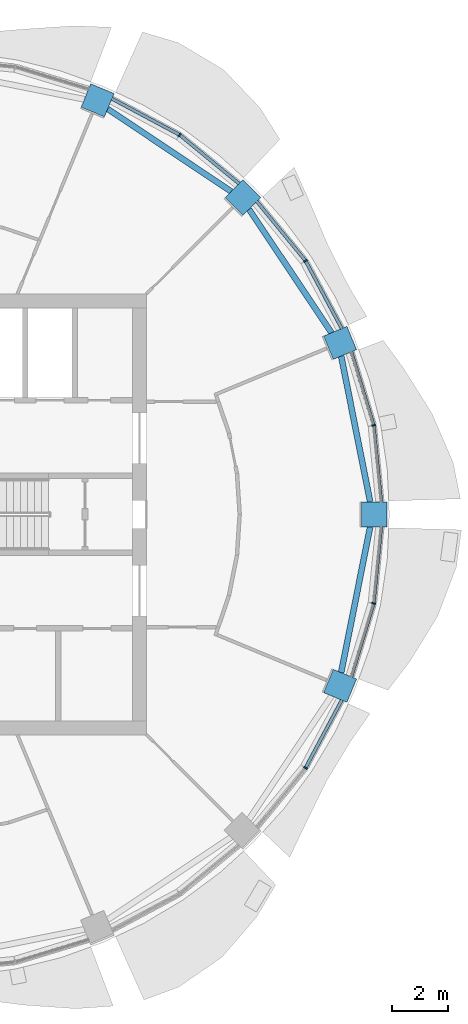
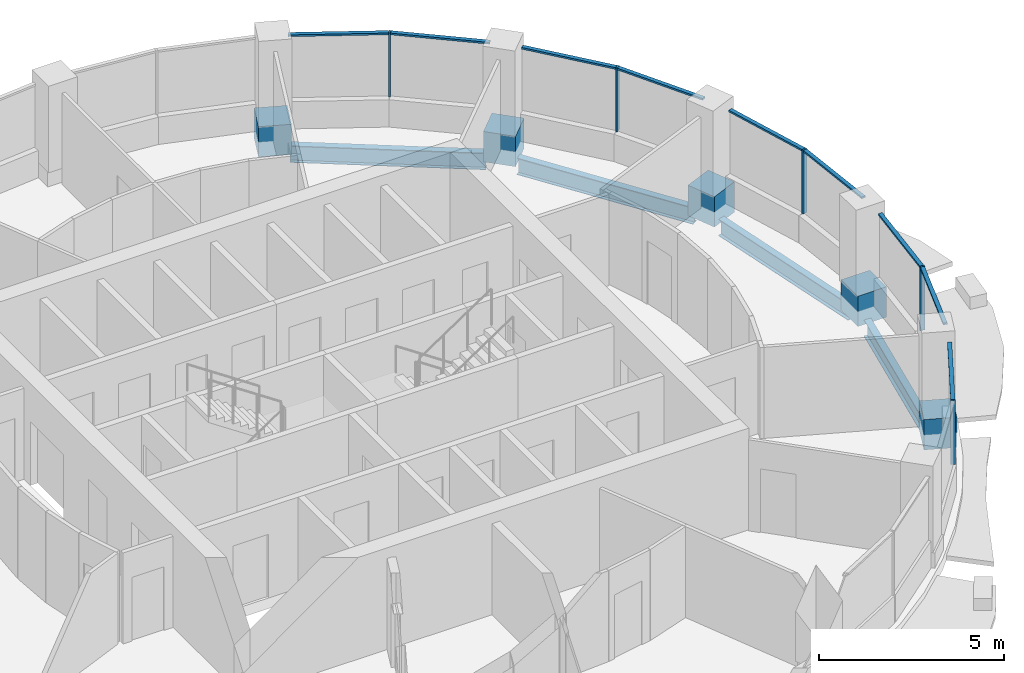
# One storey, part 5 of 15: 19 members, 4 beams, 5 elements without a shape of their own.
"""IFC4 building model written with IfcOpenShell, lengths in metres."""

import ifcopenshell
import ifcopenshell.guid

model = None  # the IFC model being written
_history = None  # IfcOwnerHistory: only IFC2X3 demands one
_inside = {}  # id of a spatial element -> (the spatial element, [elements in it])
_under = {}  # id of a project, library or spatial element -> (it, [spatial elements below it])
_declared = {}  # id of a project -> (the project, [libraries it declares])
_typed = {}  # id of a type object -> (the type object, [elements of that type])
_made_of = {}  # id of a material, layer set ... -> (it, [elements and type objects made of it])


def new_model(schema):
    """Start an empty IFC model of exactly this schema.

    Asked for "IFC4X3", IfcOpenShell would pick the latest addendum, in which some entities
    have other attributes; the version numbers below select the first issue.
    IFC2X3 requires an IfcOwnerHistory on every rooted entity: one is made here for all.
    """
    global model, _history
    if schema == "IFC4X3":
        model = ifcopenshell.file(schema_version=(4, 3, 0, 0))
    else:
        model = ifcopenshell.file(schema=schema)
    _inside.clear()
    _under.clear()
    _declared.clear()
    _typed.clear()
    _made_of.clear()
    _history = None
    if model.schema == "IFC2X3":
        org = make("IfcOrganization", Name="unknown")
        user = make(
            "IfcPersonAndOrganization",
            ThePerson=make("IfcPerson", FamilyName="unknown"),
            TheOrganization=org,
        )
        app = make(
            "IfcApplication",
            ApplicationDeveloper=org,
            Version="unknown",
            ApplicationFullName="unknown",
            ApplicationIdentifier="unknown",
        )
        _history = make(
            "IfcOwnerHistory",
            OwningUser=user,
            OwningApplication=app,
            ChangeAction="ADDED",
            CreationDate=0,
        )
    return model


def make(cls, **values):
    """One entity of the class cls with the attributes given. An attribute that is None is left unset."""
    return model.create_entity(
        cls, **{name: value for name, value in values.items() if value is not None}
    )


def rooted(cls, **values):
    """An entity with a GlobalId (a new one), such as an element, a storey or a relation."""
    return make(cls, GlobalId=ifcopenshell.guid.new(), OwnerHistory=_history, **values)


def si_unit(unit_type, name, prefix=None):
    """IfcSIUnit, for example si_unit("LENGTHUNIT", "METRE", prefix="MILLI")."""
    return make("IfcSIUnit", UnitType=unit_type, Prefix=prefix, Name=name)


def assignment(units):
    """IfcUnitAssignment: the units of a project."""
    return None if units is None else make("IfcUnitAssignment", Units=units)


def point(xyz):
    """IfcCartesianPoint."""
    return None if xyz is None else make("IfcCartesianPoint", Coordinates=xyz)


def direction(xyz):
    """IfcDirection."""
    return None if xyz is None else make("IfcDirection", DirectionRatios=xyz)


def frame(location, z_axis=None, x_axis=None):
    """IfcAxis2Placement3D, a coordinate frame: its origin and axes. An axis left out is left unset."""
    return make(
        "IfcAxis2Placement3D",
        Location=point(location),
        Axis=direction(z_axis),
        RefDirection=direction(x_axis),
    )


def frame_2d(location, x_axis=None):
    """IfcAxis2Placement2D, a coordinate frame in the plane: its origin and x axis."""
    return make(
        "IfcAxis2Placement2D", Location=point(location), RefDirection=direction(x_axis)
    )


def origin():
    """The frame at (0, 0, 0) with its axes left unset."""
    return frame((0.0, 0.0, 0.0))


def origin_2d():
    """The frame at (0, 0) in the plane with its x axis left unset."""
    return frame_2d((0.0, 0.0))


def place(relative_to, where):
    """IfcLocalPlacement: puts the frame where relative to a parent placement (None: the world)."""
    return make(
        "IfcLocalPlacement", PlacementRelTo=relative_to, RelativePlacement=where
    )


def context(
    kind, dimensions, precision=None, world=None, true_north=None, identifier=None
):
    """IfcGeometricRepresentationContext, for example the 3D "Model" context."""
    return make(
        "IfcGeometricRepresentationContext",
        ContextIdentifier=identifier,
        ContextType=kind,
        CoordinateSpaceDimension=dimensions,
        Precision=precision,
        WorldCoordinateSystem=world,
        TrueNorth=true_north,
    )


def subcontext(parent, identifier, kind, view, scale=None):
    """IfcGeometricRepresentationSubContext, for example "Body" below "Model"."""
    return make(
        "IfcGeometricRepresentationSubContext",
        ContextIdentifier=identifier,
        ContextType=kind,
        ParentContext=parent,
        TargetScale=scale,
        TargetView=view,
    )


def project(units=None, contexts=None):
    """IfcProject with its units and contexts."""
    return rooted(
        "IfcProject",
        Name="project",
        RepresentationContexts=contexts,
        UnitsInContext=assignment(units),
    )


def spatial(cls, under=None, at=None, **own):
    """A site, building, storey or space (cls), placed at a placement, below another one or the project."""
    s = rooted(cls, ObjectPlacement=at, **own)
    if under is not None:
        _under.setdefault(under.id(), (under, []))[1].append(s)
    return s


def profile(cls, at=None, kind="AREA", **sizes):
    """A parametric profile (cls). Its sizes go by their IFC names, for example OverallWidth=200.0."""
    return make(cls, ProfileType=kind, Position=at, **sizes)


def rectangle(**sizes):
    """IfcRectangleProfileDef."""
    return profile("IfcRectangleProfileDef", **sizes)


def i_section(**sizes):
    """IfcIShapeProfileDef."""
    return profile("IfcIShapeProfileDef", **sizes)


def extrude(swept, where, along, depth):
    """IfcExtrudedAreaSolid: the profile swept, set in the frame where, extruded along a direction by depth."""
    return make(
        "IfcExtrudedAreaSolid",
        SweptArea=swept,
        Position=where,
        ExtrudedDirection=direction(along),
        Depth=depth,
    )


def shape(context_of_items, identifier, shape_type, items):
    """IfcShapeRepresentation: the items that make up one representation, for example the "Body"."""
    return make(
        "IfcShapeRepresentation",
        ContextOfItems=context_of_items,
        RepresentationIdentifier=identifier,
        RepresentationType=shape_type,
        Items=items,
    )


def material(Name=None, Category=None):
    """IfcMaterial."""
    return make("IfcMaterial", Name=Name, Category=Category)


def material_profile(
    of_material, cross_section, Name=None, Category=None, Priority=None
):
    """IfcMaterialProfile: a cross section and its material."""
    return make(
        "IfcMaterialProfile",
        Name=Name,
        Material=of_material,
        Profile=cross_section,
        Priority=Priority,
        Category=Category,
    )


def profile_set(profiles, Name=None, composite=None):
    """IfcMaterialProfileSet."""
    return make(
        "IfcMaterialProfileSet",
        Name=Name,
        MaterialProfiles=profiles,
        CompositeProfile=composite,
    )


def made_of(thing, what):
    """Note that an element or type object is made of a material, layer set ...; save() writes the relation."""
    if what is not None:
        _made_of.setdefault(what.id(), (what, []))[1].append(thing)
    return thing


def type_object(cls, material=None, **own):
    """A type object (cls), such as IfcWallType, which elements share."""
    return made_of(rooted(cls, **own), material)


def element(
    cls,
    number,
    at=None,
    inside=None,
    cuts=None,
    type_object=None,
    material=None,
    context=None,
    identifier="Body",
    shape_type=None,
    held_by="IfcProductDefinitionShape",
    body=None,
    shapes=None,
    **own,
):
    """One element of the class cls, such as IfcWall. Its Tag is "e" and its number.

    at: its placement. inside: the storey or other place that contains it. cuts: it is an
    opening in that element (IfcRelVoidsElement). A single representation is given by context,
    identifier, shape_type and body (its items); several are given by shapes. held_by: the class
    of the entity that holds the representations. save() writes the other relations.
    """
    e = rooted(cls, Tag="e%d" % number, ObjectPlacement=at, **own)
    if body is not None:
        shapes = [shape(context, identifier, shape_type, body)]
    if shapes is not None:
        e.Representation = make(held_by, Representations=shapes)
    if inside is not None:
        _inside.setdefault(inside.id(), (inside, []))[1].append(e)
    if cuts is not None:
        rooted(
            "IfcRelVoidsElement", RelatingBuildingElement=cuts, RelatedOpeningElement=e
        )
    if type_object is not None:
        _typed.setdefault(type_object.id(), (type_object, []))[1].append(e)
    return made_of(e, material)


def aggregate(whole, parts):
    """IfcRelAggregates: a whole, such as a stair, and the parts it consists of."""
    return rooted("IfcRelAggregates", RelatingObject=whole, RelatedObjects=parts)


def save(model, path):
    """Write the relations noted so far, then the file.

    IfcRelAggregates (storeys below a building ...), IfcRelContainedInSpatialStructure (elements
    in a storey), IfcRelDefinesByType, IfcRelAssociatesMaterial and IfcRelDeclares: one each for
    every whole, place, type object, material and project.
    """
    for whole, parts in _under.values():
        aggregate(whole, parts)
    for where, things in _inside.values():
        rooted(
            "IfcRelContainedInSpatialStructure",
            RelatedElements=things,
            RelatingStructure=where,
        )
    for kind, things in _typed.values():
        rooted("IfcRelDefinesByType", RelatedObjects=things, RelatingType=kind)
    for what, things in _made_of.values():
        rooted("IfcRelAssociatesMaterial", RelatedObjects=things, RelatingMaterial=what)
    for by, libraries in _declared.values():
        rooted("IfcRelDeclares", RelatingContext=by, RelatedDefinitions=libraries)
    model.write(path)


model = new_model("IFC4")

# Units and contexts
model_context = context("Model", 3, precision=1e-05, world=origin(), true_north=direction((0.0, 1.0)))
body_context = subcontext(model_context, "Body", "Model", "MODEL_VIEW")
ifc_project = project(units=[si_unit("LENGTHUNIT", "METRE"), si_unit("AREAUNIT", "SQUARE_METRE"), si_unit("VOLUMEUNIT", "CUBIC_METRE"), si_unit("PLANEANGLEUNIT", "RADIAN"), si_unit("MASSUNIT", "GRAM", prefix="KILO")], contexts=[model_context])

# Site, building, storey
site_placement = place(None, origin())
site = spatial("IfcSite", under=ifc_project, at=site_placement, CompositionType="ELEMENT")
building_placement = place(site_placement, origin())
building = spatial("IfcBuilding", under=site, at=building_placement, Name="Polderwave Tower", CompositionType="ELEMENT")
storey_placement = place(building_placement, frame((0.0, 0.0, 207.75)))
storey = spatial("IfcBuildingStorey", under=building, at=storey_placement, Name="L56", CompositionType="ELEMENT", Elevation=207.75)

# Curtain wall, member
ifc_material_1 = material(Name="Aluminium 6063-T6 and glass", Category="aluminium")
curtain_wall_type = type_object("IfcCurtainWallType", Name="Office ribbon glazing wall", PredefinedType="NOTDEFINED", material=ifc_material_1)
curtain_wall_1_placement = place(storey_placement, origin())
curtain_wall_1 = element("IfcCurtainWall", 1, at=curtain_wall_1_placement, inside=storey, type_object=curtain_wall_type, Name="CW3 L56 00", PredefinedType="NOTDEFINED")
ifc_material_2 = material(Name="Aluminium 6063-T6", Category="aluminium")
ifc_material_profile_1 = material_profile(ifc_material_2, rectangle(XDim=0.139892578125, YDim=0.054931640625, at=origin_2d()), Name="AL 55x140")
ifc_profile_set_1 = profile_set([ifc_material_profile_1], Name="Aluminium 6063-T6")
member_type_1 = type_object("IfcMemberType", Name="Office ribbon glazing mullion 55x140", PredefinedType="MULLION", material=ifc_profile_set_1)
member_1_placement = place(storey_placement, frame((15.987060546875, 3.179931640625, 0.89990234375), z_axis=(0.0, 0.0, 1.0), x_axis=(-0.980756668128, -0.195234110551, 0.0)))
member_1 = element("IfcMember", 2, at=member_1_placement, type_object=member_type_1, Name="CW3 mullion 1", PredefinedType="MULLION", context=body_context, shape_type="SweptSolid", body=[
    extrude(rectangle(XDim=0.139892578125, YDim=0.054931640625, at=origin_2d()), origin(), (0.0, 0.0, 1.0), 2.10009765625),
])

curtain_wall_2_placement = place(storey_placement, origin())
curtain_wall_2 = element("IfcCurtainWall", 3, at=curtain_wall_2_placement, inside=storey, type_object=curtain_wall_type, Name="CW3 L56 01", PredefinedType="NOTDEFINED")
member_2_placement = place(storey_placement, frame((13.552978515625, 9.055908203125, 0.89990234375), z_axis=(0.0, 0.0, 1.0), x_axis=(-0.831455067223, -0.555592000653, 0.0)))
member_2 = element("IfcMember", 4, at=member_2_placement, type_object=member_type_1, Name="CW3 mullion 1", PredefinedType="MULLION", context=body_context, shape_type="SweptSolid", body=[
    extrude(rectangle(XDim=0.139892578125, YDim=0.054931640625, at=origin_2d()), origin(), (0.0, 0.0, 1.0), 2.10009765625),
])

curtain_wall_3_placement = place(storey_placement, origin())
curtain_wall_3 = element("IfcCurtainWall", 5, at=curtain_wall_3_placement, inside=storey, type_object=curtain_wall_type, Name="CW3 L56 02", PredefinedType="NOTDEFINED")
member_3_placement = place(storey_placement, frame((9.055908203125, 13.552978515625, 0.89990234375), z_axis=(0.0, 0.0, 1.0), x_axis=(-0.555592000653, -0.831455067223, 0.0)))
member_3 = element("IfcMember", 6, at=member_3_placement, type_object=member_type_1, Name="CW3 mullion 1", PredefinedType="MULLION", context=body_context, shape_type="SweptSolid", body=[
    extrude(rectangle(XDim=0.139892578125, YDim=0.054931640625, at=origin_2d()), origin(), (0.0, 0.0, 1.0), 2.10009765625),
])

curtain_wall_4_placement = place(storey_placement, origin())
curtain_wall_4 = element("IfcCurtainWall", 7, at=curtain_wall_4_placement, inside=storey, type_object=curtain_wall_type, Name="CW3 L56 14", PredefinedType="NOTDEFINED")
member_4_placement = place(storey_placement, frame((13.552978515625, -9.055908203125, 0.89990234375), z_axis=(0.0, 0.0, 1.0), x_axis=(-0.831455067223, 0.555592000653, 0.0)))
member_4 = element("IfcMember", 8, at=member_4_placement, type_object=member_type_1, Name="CW3 mullion 1", PredefinedType="MULLION", context=body_context, shape_type="SweptSolid", body=[
    extrude(rectangle(XDim=0.139892578125, YDim=0.054931640625, at=origin_2d()), origin(), (0.0, 0.0, 1.0), 2.10009765625),
])

curtain_wall_5_placement = place(storey_placement, origin())
curtain_wall_5 = element("IfcCurtainWall", 9, at=curtain_wall_5_placement, inside=storey, type_object=curtain_wall_type, Name="CW3 L56 15", PredefinedType="NOTDEFINED")
member_5_placement = place(storey_placement, frame((15.987060546875, -3.179931640625, 0.89990234375), z_axis=(0.0, 0.0, 1.0), x_axis=(-0.980756668128, 0.195234110551, 0.0)))
member_5 = element("IfcMember", 10, at=member_5_placement, type_object=member_type_1, Name="CW3 mullion 1", PredefinedType="MULLION", context=body_context, shape_type="SweptSolid", body=[
    extrude(rectangle(XDim=0.139892578125, YDim=0.054931640625, at=origin_2d()), origin(), (0.0, 0.0, 1.0), 2.10009765625),
])

# Member
ifc_material_profile_2 = material_profile(ifc_material_2, rectangle(XDim=0.1201171875, YDim=0.06005859375, at=origin_2d()), Name="AL 60x120")
ifc_profile_set_2 = profile_set([ifc_material_profile_2], Name="Aluminium 6063-T6")
member_type_2 = type_object("IfcMemberType", Name="Office ribbon glazing transom 60x120", PredefinedType="USERDEFINED", material=ifc_profile_set_2)
member_6_placement = place(storey_placement, frame((16.256103515625, 0.449951171875, 2.969970703125), z_axis=(-0.09807947932, 0.995178584846, 0.0), x_axis=(-0.995178584846, -0.09807947932, 0.0)))
member_6 = element("IfcMember", 11, at=member_6_placement, type_object=member_type_2, Name="CW3 transom 1", ObjectType="TRANSOM", PredefinedType="USERDEFINED", context=body_context, shape_type="SweptSolid", body=[
    extrude(rectangle(XDim=0.1201171875, YDim=0.06005859375, at=origin_2d()), origin(), (0.0, 0.0, 1.0), 2.7158203125),
])

member_7_placement = place(storey_placement, frame((15.97900390625, 3.206298828125, 2.969970703125), z_axis=(-0.290546276121, 0.956860941533, 0.0), x_axis=(-0.956860941533, -0.290546276121, 0.0)))
member_7 = element("IfcMember", 12, at=member_7_placement, type_object=member_type_2, Name="CW3 transom 2", ObjectType="TRANSOM", PredefinedType="USERDEFINED", context=body_context, shape_type="SweptSolid", body=[
    extrude(rectangle(XDim=0.1201171875, YDim=0.06005859375, at=origin_2d()), origin(), (0.0, 0.0, 1.0), 2.7158203125),
])

aggregate(curtain_wall_1, [member_1, member_6, member_7])

member_8_placement = place(storey_placement, frame((14.845947265625, 6.636962890625, 2.969970703125), z_axis=(-0.471395356924, 0.88192200192, 0.0), x_axis=(-0.88192200192, -0.471395356924, 0.0)))
member_8 = element("IfcMember", 13, at=member_8_placement, type_object=member_type_2, Name="CW3 transom 1", ObjectType="TRANSOM", PredefinedType="USERDEFINED", context=body_context, shape_type="SweptSolid", body=[
    extrude(rectangle(XDim=0.1201171875, YDim=0.06005859375, at=origin_2d()), origin(), (0.0, 0.0, 1.0), 2.71533203125),
])

member_9_placement = place(storey_placement, frame((13.53564453125, 9.077392578125, 2.969970703125), z_axis=(-0.634470928201, 0.772946726022, 0.0), x_axis=(-0.772946726022, -0.634470928201, 0.0)))
member_9 = element("IfcMember", 14, at=member_9_placement, type_object=member_type_2, Name="CW3 transom 2", ObjectType="TRANSOM", PredefinedType="USERDEFINED", context=body_context, shape_type="SweptSolid", body=[
    extrude(rectangle(XDim=0.1201171875, YDim=0.06005859375, at=origin_2d()), origin(), (0.0, 0.0, 1.0), 2.715087890625),
])

aggregate(curtain_wall_2, [member_2, member_8, member_9])

member_10_placement = place(storey_placement, frame((11.176025390625, 11.81298828125, 2.969970703125), z_axis=(-0.772946726022, 0.634470928201, 0.0), x_axis=(-0.634470928201, -0.772946726022, 0.0)))
member_10 = element("IfcMember", 15, at=member_10_placement, type_object=member_type_2, Name="CW3 transom 1", ObjectType="TRANSOM", PredefinedType="USERDEFINED", context=body_context, shape_type="SweptSolid", body=[
    extrude(rectangle(XDim=0.1201171875, YDim=0.06005859375, at=origin_2d()), origin(), (0.0, 0.0, 1.0), 2.715087890625),
])

member_11_placement = place(storey_placement, frame((9.03173828125, 13.56591796875, 2.969970703125), z_axis=(-0.88192200192, 0.471395356924, 0.0), x_axis=(-0.471395356924, -0.88192200192, 0.0)))
member_11 = element("IfcMember", 16, at=member_11_placement, type_object=member_type_2, Name="CW3 transom 2", ObjectType="TRANSOM", PredefinedType="USERDEFINED", context=body_context, shape_type="SweptSolid", body=[
    extrude(rectangle(XDim=0.1201171875, YDim=0.06005859375, at=origin_2d()), origin(), (0.0, 0.0, 1.0), 2.71533203125),
])

aggregate(curtain_wall_3, [member_3, member_10, member_11])

member_12_placement = place(storey_placement, frame((13.56591796875, -9.03173828125, 2.969970703125), z_axis=(0.471395356924, 0.88192200192, 0.0), x_axis=(-0.88192200192, 0.471395356924, 0.0)))
member_12 = element("IfcMember", 17, at=member_12_placement, type_object=member_type_2, Name="CW3 transom 2", ObjectType="TRANSOM", PredefinedType="USERDEFINED", context=body_context, shape_type="SweptSolid", body=[
    extrude(rectangle(XDim=0.1201171875, YDim=0.06005859375, at=origin_2d()), origin(), (0.0, 0.0, 1.0), 2.71533203125),
])

aggregate(curtain_wall_4, [member_4, member_12])

member_13_placement = place(storey_placement, frame((15.18994140625, -5.804931640625, 2.969970703125), z_axis=(0.290546276121, 0.956860941533, 0.0), x_axis=(-0.956860941533, 0.290546276121, 0.0)))
member_13 = element("IfcMember", 18, at=member_13_placement, type_object=member_type_2, Name="CW3 transom 1", ObjectType="TRANSOM", PredefinedType="USERDEFINED", context=body_context, shape_type="SweptSolid", body=[
    extrude(rectangle(XDim=0.1201171875, YDim=0.06005859375, at=origin_2d()), origin(), (0.0, 0.0, 1.0), 2.7158203125),
])

member_14_placement = place(storey_placement, frame((15.98974609375, -3.152587890625, 2.969970703125), z_axis=(0.09807947932, 0.995178584846, 0.0), x_axis=(-0.995178584846, 0.09807947932, 0.0)))
member_14 = element("IfcMember", 19, at=member_14_placement, type_object=member_type_2, Name="CW3 transom 2", ObjectType="TRANSOM", PredefinedType="USERDEFINED", context=body_context, shape_type="SweptSolid", body=[
    extrude(rectangle(XDim=0.1201171875, YDim=0.06005859375, at=origin_2d()), origin(), (0.0, 0.0, 1.0), 2.7158203125),
])

aggregate(curtain_wall_5, [member_5, member_13, member_14])

# Members
ifc_material_3 = material(Name="Concrete C60/75", Category="concrete")
ifc_material_profile_3 = material_profile(ifc_material_3, rectangle(XDim=0.89990234375, YDim=0.89990234375, at=origin_2d()), Name="RC 900x900")
ifc_profile_set_3 = profile_set([ifc_material_profile_3], Name="Concrete C60/75")
member_type_3 = type_object("IfcMemberType", Name="RC NODE 900x900 C60/75", PredefinedType="POST", material=ifc_profile_set_3)
for number, where, z_axis, x_axis, name in (
    (20, (16.005859375, 0.0, -0.5), (0.0, 0.0, 1.0), (1.0, 0.0, 0.0), "Ring column node 01"),
    (21, (14.78759765625, 6.125244140625, -0.5), (0.0, 0.0, 1.0), (0.923879532511, 0.382683432365, 0.0), "Ring column node 02"),
    (22, (11.31787109375, 11.31787109375, -0.5), (0.0, 0.0, 1.0), (0.707106781187, 0.707106781187, 0.0), "Ring column node 03"),
    (23, (6.125244140625, 14.78759765625, -0.5), (0.0, 0.0, 1.0), (0.382683432365, 0.923879532511, 0.0), "Ring column node 04"),
    (24, (14.78759765625, -6.125244140625, -0.5), (0.0, 0.0, 1.0), (0.923879532511, -0.382683432365, 0.0), "Ring column node 16"),
):
    element("IfcMember", number, at=place(storey_placement, frame(where, z_axis=z_axis, x_axis=x_axis)), inside=storey, type_object=member_type_3, Name=name, PredefinedType="POST", context=body_context, shape_type="SweptSolid", body=[
        extrude(rectangle(XDim=0.89990234375, YDim=0.89990234375, at=origin_2d()), origin(), (0.0, 0.0, 1.0), 1.0),
    ])

# Beams
ifc_material_4 = material(Name="Steel S355", Category="steel")
ifc_material_profile_4 = material_profile(ifc_material_4, i_section(OverallWidth=0.2099609375, OverallDepth=0.550048828125, WebThickness=0.010986328125, FlangeThickness=0.01708984375, at=origin_2d()), Name="IPE 550")
ifc_profile_set_4 = profile_set([ifc_material_profile_4], Name="Steel S355")
beam_type = type_object("IfcBeamType", Name="RING BEAM IPE 550", PredefinedType="BEAM", material=ifc_profile_set_4)
for number, where, z_axis, x_axis, name in (
    (25, (15.860595703125, 0.449951171875, -0.625), (-0.195098417144, 0.980783670147, 0.0), (-0.980783670147, -0.195098417144, 0.0), "ST-RB-L56-00"),
    (26, (14.48095703125, 6.4853515625, -0.625), (-0.555570615162, 0.831469356963, 0.0), (-0.831469356963, -0.555570615162, 0.0), "ST-RB-L56-01"),
    (27, (10.89697265625, 11.533203125, -0.625), (-0.831469356963, 0.555570615162, 0.0), (-0.555570615162, -0.831469356963, 0.0), "ST-RB-L56-02"),
    (28, (14.825439453125, -5.65380859375, -0.625), (0.195098417144, 0.980783670147, 0.0), (-0.980783670147, 0.195098417144, 0.0), "ST-RB-L56-15"),
):
    element("IfcBeam", number, at=place(storey_placement, frame(where, z_axis=z_axis, x_axis=x_axis)), inside=storey, type_object=beam_type, Name=name, PredefinedType="BEAM", context=body_context, shape_type="SweptSolid", body=[
        extrude(i_section(OverallWidth=0.2099609375, OverallDepth=0.550048828125, WebThickness=0.010986328125, FlangeThickness=0.01708984375, at=origin_2d()), origin(), (0.0, 0.0, 1.0), 5.305908203125),
    ])

save(model, "model.ifc")
